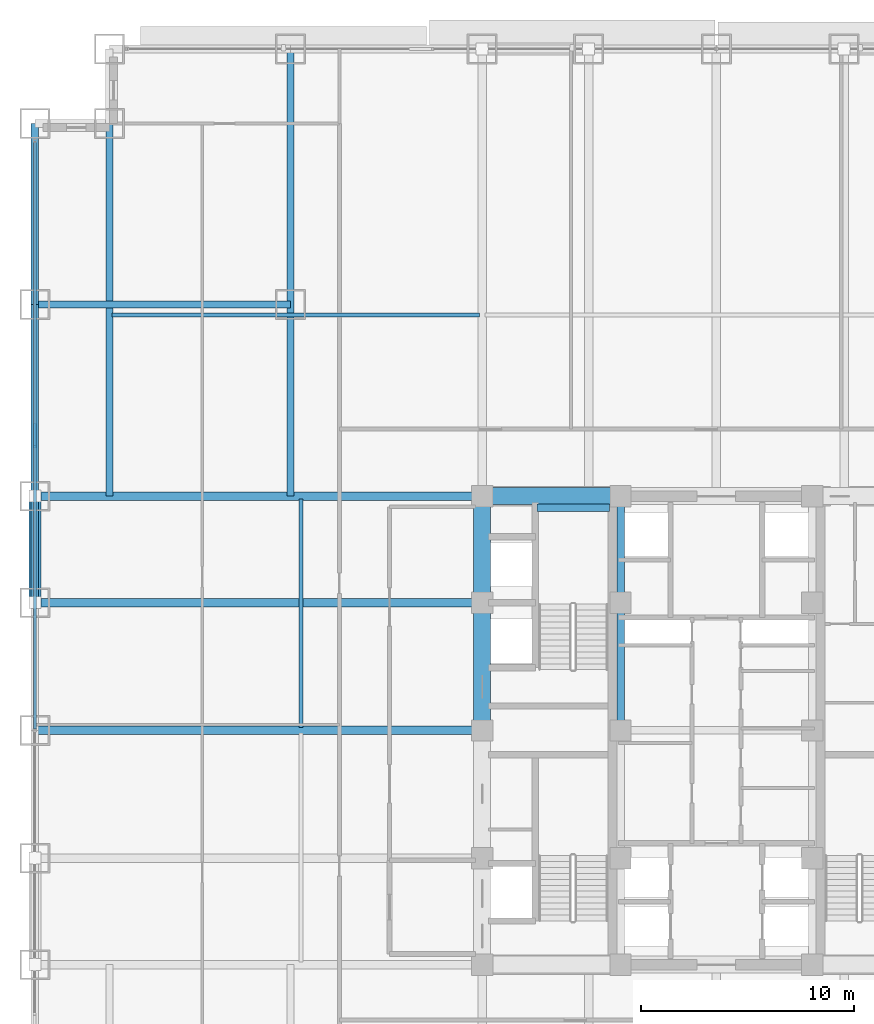
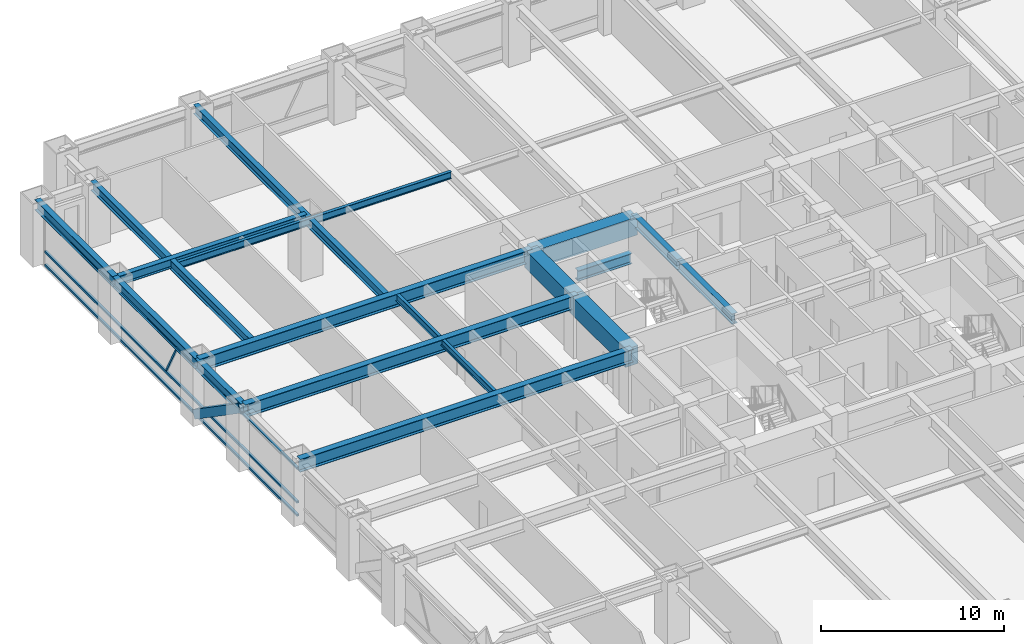
# One storey, part 9 of 32: 17 beams, 5 members, 1 element without a shape of its own.
"""IFC4 building model written with IfcOpenShell, lengths in metres."""

from ifc_helpers import new_model, si_unit, direction, frame, origin, origin_2d, place, context, subcontext, project, spatial, rectangle, hollow_rectangle, i_section, extrude, source, transform, mapped, material, material_profile, profile_set, type_object, element, aggregate, save


model = new_model("IFC4")

# Units and contexts
model_context = context("Model", 3, precision=1e-05, world=origin(), true_north=direction((0.0, 1.0)))
body_context = subcontext(model_context, "Body", "Model", "MODEL_VIEW")
ifc_project = project(units=[si_unit("LENGTHUNIT", "METRE"), si_unit("AREAUNIT", "SQUARE_METRE"), si_unit("VOLUMEUNIT", "CUBIC_METRE"), si_unit("PLANEANGLEUNIT", "RADIAN"), si_unit("MASSUNIT", "GRAM", prefix="KILO")], contexts=[model_context])

# Site, building, storey
site_placement = place(None, origin())
site = spatial("IfcSite", under=ifc_project, at=site_placement, CompositionType="ELEMENT")
building_placement = place(site_placement, origin())
building = spatial("IfcBuilding", under=site, at=building_placement, Name="Khorayat Bourse Tower", CompositionType="ELEMENT")
storey_placement = place(building_placement, frame((0.0, 0.0, 74.60009765625)))
storey = spatial("IfcBuildingStorey", under=building, at=storey_placement, Name="L16", CompositionType="ELEMENT", Elevation=74.60009765625)

# Beams
ifc_material_1 = material(Name="Concrete C72/90", Category="concrete")
ifc_material_profile_1 = material_profile(ifc_material_1, rectangle(XDim=0.800048828125, YDim=1.199951171875, at=origin_2d()), Name="RC 800x1200")
ifc_profile_set_1 = profile_set([ifc_material_profile_1], Name="Concrete C72/90")
beam_type_1 = type_object("IfcBeamType", Name="BM-COUP-1200", PredefinedType="BEAM", material=ifc_profile_set_1)
shared_shape_1 = source(origin(), body_context, "Body", "SweptSolid", [
    extrude(rectangle(XDim=0.800048828125, YDim=1.199951171875, at=origin_2d()), origin(), (0.0, 0.0, 1.0), 5.0),
])
beam_1_placement = place(storey_placement, frame((-11.0, 6.0, 3.33984375), z_axis=(0.0, 1.0, 0.0), x_axis=(-1.0, 0.0, 0.0)))
element("IfcBeam", 1, at=beam_1_placement, inside=storey, type_object=beam_type_1, Name="L16 BM-COUP-1200 BM-L16-CRX-04", PredefinedType="BEAM", context=body_context, shape_type="MappedRepresentation", body=[
    mapped(shared_shape_1, transform((0.0, 0.0, 0.0), scale=1.0)),
])
shared_shape_2 = source(origin(), body_context, "Body", "SweptSolid", [
    extrude(rectangle(XDim=0.800048828125, YDim=1.199951171875, at=origin_2d()), origin(), (0.0, 0.0, 1.0), 6.0),
])
beam_2_placement = place(storey_placement, frame((-11.0, 0.0, 3.33984375), z_axis=(0.0, 1.0, 0.0), x_axis=(-1.0, 0.0, 0.0)))
element("IfcBeam", 2, at=beam_2_placement, inside=storey, type_object=beam_type_1, Name="L16 BM-COUP-1200 BM-L16-CRX-03", PredefinedType="BEAM", context=body_context, shape_type="MappedRepresentation", body=[
    mapped(shared_shape_2, transform((0.0, 0.0, 0.0), scale=1.0)),
])
ifc_material_2 = material(Name="Steel ASTM A992 Grade 50", Category="steel")
ifc_material_profile_2 = material_profile(ifc_material_2, i_section(OverallWidth=0.35498046875, OverallDepth=0.695068359375, WebThickness=0.015380859375, FlangeThickness=0.02490234375, FilletRadius=0.01806640625, at=origin_2d()), Name="W690X217")
ifc_profile_set_2 = profile_set([ifc_material_profile_2], Name="Steel ASTM A992 Grade 50")
beam_type_2 = type_object("IfcBeamType", Name="BM-GIRD-690", PredefinedType="BEAM", material=ifc_profile_set_2)
shared_shape_3 = source(origin(), body_context, "Body", "SweptSolid", [
    extrude(i_section(OverallWidth=0.35498046875, OverallDepth=0.695068359375, WebThickness=0.015380859375, FlangeThickness=0.02490234375, FilletRadius=0.01806640625, at=origin_2d()), origin(), (0.0, 0.0, 1.0), 5.0),
])
beam_3_placement = place(storey_placement, frame((-4.5, 6.0, 3.59228515625), z_axis=(0.0, 1.0, 0.0), x_axis=(-1.0, 0.0, 0.0)))
element("IfcBeam", 3, at=beam_3_placement, inside=storey, type_object=beam_type_2, Name="L16 BM-GIRD-690 BM-L16-CRX-08", PredefinedType="BEAM", context=body_context, shape_type="MappedRepresentation", body=[
    mapped(shared_shape_3, transform((0.0, 0.0, 0.0), scale=1.0)),
])
shared_shape_4 = source(origin(), body_context, "Body", "SweptSolid", [
    extrude(i_section(OverallWidth=0.35498046875, OverallDepth=0.695068359375, WebThickness=0.015380859375, FlangeThickness=0.02490234375, FilletRadius=0.01806640625, at=origin_2d()), origin(), (0.0, 0.0, 1.0), 6.0),
])
beam_4_placement = place(storey_placement, frame((-4.5, 0.0, 3.59228515625), z_axis=(0.0, 1.0, 0.0), x_axis=(-1.0, 0.0, 0.0)))
element("IfcBeam", 4, at=beam_4_placement, inside=storey, type_object=beam_type_2, Name="L16 BM-GIRD-690 BM-L16-CRX-07", PredefinedType="BEAM", context=body_context, shape_type="MappedRepresentation", body=[
    mapped(shared_shape_4, transform((0.0, 0.0, 0.0), scale=1.0)),
])
shared_shape_5 = source(origin(), body_context, "Body", "SweptSolid", [
    extrude(rectangle(XDim=0.800048828125, YDim=1.199951171875, at=origin_2d()), origin(), (0.0, 0.0, 1.0), 6.5),
])
beam_5_placement = place(storey_placement, frame((-11.0, 11.0, 3.33984375), z_axis=(1.0, 0.0, 0.0), x_axis=(0.0, 1.0, 0.0)))
element("IfcBeam", 5, at=beam_5_placement, inside=storey, type_object=beam_type_1, Name="L16 BM-COUP-1200 BM-L16-CRY-20", PredefinedType="BEAM", context=body_context, shape_type="MappedRepresentation", body=[
    mapped(shared_shape_5, transform((0.0, 0.0, 0.0), scale=1.0)),
])
shared_shape_6 = source(origin(), body_context, "Body", "SweptSolid", [
    extrude(i_section(OverallWidth=0.35498046875, OverallDepth=0.695068359375, WebThickness=0.015380859375, FlangeThickness=0.02490234375, FilletRadius=0.01806640625, at=origin_2d()), origin(), (0.0, 0.0, 1.0), 3.39990234375),
])
beam_6_placement = place(storey_placement, frame((-8.419921875, 10.449951171875, 1.552490234375), z_axis=(1.0, 0.0, 0.0), x_axis=(0.0, 1.0, 0.0)))
element("IfcBeam", 6, at=beam_6_placement, inside=storey, type_object=beam_type_2, Name="L16 BM-GIRD-690 BM-L16-ST2L", PredefinedType="BEAM", context=body_context, shape_type="MappedRepresentation", body=[
    mapped(shared_shape_6, transform((0.0, 0.0, 0.0), scale=1.0)),
])
ifc_material_profile_3 = material_profile(ifc_material_2, i_section(OverallWidth=0.35498046875, OverallDepth=0.695068359375, WebThickness=0.015380859375, FlangeThickness=0.02490234375, FilletRadius=0.01806640625, at=origin_2d()), Name="W690X217")
ifc_profile_set_3 = profile_set([ifc_material_profile_3], Name="Steel ASTM A992 Grade 50")
beam_type_3 = type_object("IfcBeamType", Name="BM-SPAN-690", PredefinedType="SPANDREL", material=ifc_profile_set_3)
shared_shape_7 = source(origin(), body_context, "Body", "SweptSolid", [
    extrude(i_section(OverallWidth=0.35498046875, OverallDepth=0.695068359375, WebThickness=0.015380859375, FlangeThickness=0.02490234375, FilletRadius=0.01806640625, at=origin_2d()), origin(), (0.0, 0.0, 1.0), 8.5),
])
beam_7_placement = place(storey_placement, frame((-32.0, 20.0, 3.59228515625), z_axis=(0.0, 1.0, 0.0), x_axis=(-1.0, 0.0, 0.0)))
element("IfcBeam", 7, at=beam_7_placement, inside=storey, type_object=beam_type_3, Name="L16 BM-SPAN-690 BM-L16-SPN-054", PredefinedType="SPANDREL", context=body_context, shape_type="MappedRepresentation", body=[
    mapped(shared_shape_7, transform((0.0, 0.0, 0.0), scale=1.0)),
])
shared_shape_8 = source(origin(), body_context, "Body", "SweptSolid", [
    extrude(i_section(OverallWidth=0.35498046875, OverallDepth=0.695068359375, WebThickness=0.015380859375, FlangeThickness=0.02490234375, FilletRadius=0.01806640625, at=origin_2d()), origin(), (0.0, 0.0, 1.0), 9.0),
])
beam_8_placement = place(storey_placement, frame((-32.0, 11.0, 3.59228515625), z_axis=(0.0, 1.0, 0.0), x_axis=(-1.0, 0.0, 0.0)))
element("IfcBeam", 8, at=beam_8_placement, inside=storey, type_object=beam_type_3, Name="L16 BM-SPAN-690 BM-L16-SPN-055", PredefinedType="SPANDREL", context=body_context, shape_type="MappedRepresentation", body=[
    mapped(shared_shape_8, transform((0.0, 0.0, 0.0), scale=1.0)),
])
shared_shape_9 = source(origin(), body_context, "Body", "SweptSolid", [
    extrude(i_section(OverallWidth=0.35498046875, OverallDepth=0.695068359375, WebThickness=0.015380859375, FlangeThickness=0.02490234375, FilletRadius=0.01806640625, at=origin_2d()), origin(), (0.0, 0.0, 1.0), 5.0),
])
beam_9_placement = place(storey_placement, frame((-32.0, 6.0, 3.59228515625), z_axis=(0.0, 1.0, 0.0), x_axis=(-1.0, 0.0, 0.0)))
element("IfcBeam", 9, at=beam_9_placement, inside=storey, type_object=beam_type_3, Name="L16 BM-SPAN-690 BM-L16-SPN-056", PredefinedType="SPANDREL", context=body_context, shape_type="MappedRepresentation", body=[
    mapped(shared_shape_9, transform((0.0, 0.0, 0.0), scale=1.0)),
])
ifc_material_profile_4 = material_profile(ifc_material_2, i_section(OverallWidth=0.39990234375, OverallDepth=0.85498046875, WebThickness=0.018310546875, FlangeThickness=0.029296875, FilletRadius=0.02001953125, at=origin_2d()), Name="W840X299")
ifc_profile_set_4 = profile_set([ifc_material_profile_4], Name="Steel ASTM A992 Grade 50")
beam_type_4 = type_object("IfcBeamType", Name="BM-GIRD-840", PredefinedType="BEAM", material=ifc_profile_set_4)
shared_shape_10 = source(origin(), body_context, "Body", "SweptSolid", [
    extrude(i_section(OverallWidth=0.39990234375, OverallDepth=0.85498046875, WebThickness=0.018310546875, FlangeThickness=0.029296875, FilletRadius=0.02001953125, at=origin_2d()), origin(), (0.0, 0.0, 1.0), 21.0),
])
for number, where, z_axis, x_axis, name in (
    (10, (-32.0, 0.0, 3.512451171875), (1.0, 0.0, 0.0), (0.0, 1.0, 0.0), "L16 BM-GIRD-840 BM-L16-RADX-079"),
    (11, (-32.0, 6.0, 3.512451171875), (1.0, 0.0, 0.0), (0.0, 1.0, 0.0), "L16 BM-GIRD-840 BM-L16-RADX-081"),
    (12, (-32.0, 11.0, 3.512451171875), (1.0, 0.0, 0.0), (0.0, 1.0, 0.0), "L16 BM-GIRD-840 BM-L16-RADX-083"),
):
    element("IfcBeam", number, at=place(storey_placement, frame(where, z_axis=z_axis, x_axis=x_axis)), inside=storey, type_object=beam_type_4, Name=name, PredefinedType="BEAM", context=body_context, shape_type="MappedRepresentation", body=[
        mapped(shared_shape_10, transform((0.0, 0.0, 0.0), scale=1.0)),
    ])
ifc_material_profile_5 = material_profile(ifc_material_2, i_section(OverallWidth=0.324951171875, OverallDepth=0.615966796875, WebThickness=0.013916015625, FlangeThickness=0.021484375, FilletRadius=0.01611328125, at=origin_2d()), Name="W610X174")
ifc_profile_set_5 = profile_set([ifc_material_profile_5], Name="Steel ASTM A992 Grade 50")
beam_type_5 = type_object("IfcBeamType", Name="BM-GIRD-610", PredefinedType="BEAM", material=ifc_profile_set_5)
shared_shape_11 = source(origin(), body_context, "Body", "SweptSolid", [
    extrude(i_section(OverallWidth=0.324951171875, OverallDepth=0.615966796875, WebThickness=0.013916015625, FlangeThickness=0.021484375, FilletRadius=0.01611328125, at=origin_2d()), origin(), (0.0, 0.0, 1.0), 21.0),
])
beam_10_placement = place(storey_placement, frame((-20.0, 11.0, 3.6318359375), z_axis=(0.0, 1.0, 0.0), x_axis=(-1.0, 0.0, 0.0)))
element("IfcBeam", 13, at=beam_10_placement, inside=storey, type_object=beam_type_5, Name="L16 BM-GIRD-610 BM-L16-CNRY-085", PredefinedType="BEAM", context=body_context, shape_type="MappedRepresentation", body=[
    mapped(shared_shape_11, transform((0.0, 0.0, 0.0), scale=1.0)),
])
shared_shape_12 = source(origin(), body_context, "Body", "SweptSolid", [
    extrude(i_section(OverallWidth=0.324951171875, OverallDepth=0.615966796875, WebThickness=0.013916015625, FlangeThickness=0.021484375, FilletRadius=0.01611328125, at=origin_2d()), origin(), (0.0, 0.0, 1.0), 17.5),
])
beam_11_placement = place(storey_placement, frame((-28.5, 11.0, 3.6318359375), z_axis=(0.0, 1.0, 0.0), x_axis=(-1.0, 0.0, 0.0)))
element("IfcBeam", 14, at=beam_11_placement, inside=storey, type_object=beam_type_5, Name="L16 BM-GIRD-610 BM-L16-CNRY-089", PredefinedType="BEAM", context=body_context, shape_type="MappedRepresentation", body=[
    mapped(shared_shape_12, transform((0.0, 0.0, 0.0), scale=1.0)),
])
shared_shape_13 = source(origin(), body_context, "Body", "SweptSolid", [
    extrude(i_section(OverallWidth=0.324951171875, OverallDepth=0.615966796875, WebThickness=0.013916015625, FlangeThickness=0.021484375, FilletRadius=0.01611328125, at=origin_2d()), origin(), (0.0, 0.0, 1.0), 12.0),
])
beam_12_placement = place(storey_placement, frame((-32.0, 20.0, 3.6318359375), z_axis=(1.0, 0.0, 0.0), x_axis=(0.0, 1.0, 0.0)))
element("IfcBeam", 15, at=beam_12_placement, inside=storey, type_object=beam_type_5, Name="L16 BM-GIRD-610 BM-L16-CNRX-095", PredefinedType="BEAM", context=body_context, shape_type="MappedRepresentation", body=[
    mapped(shared_shape_13, transform((0.0, 0.0, 0.0), scale=1.0)),
])
ifc_material_profile_6 = material_profile(ifc_material_2, i_section(OverallWidth=0.194091796875, OverallDepth=0.468994140625, WebThickness=0.0126953125, FlangeThickness=0.0205078125, FilletRadius=0.012939453125, at=origin_2d()), Name="W460X106")
ifc_profile_set_6 = profile_set([ifc_material_profile_6], Name="Steel ASTM A992 Grade 50")
beam_type_6 = type_object("IfcBeamType", Name="BM-JOIST-460", PredefinedType="JOIST", material=ifc_profile_set_6)
shared_shape_14 = source(origin(), body_context, "Body", "SweptSolid", [
    extrude(i_section(OverallWidth=0.194091796875, OverallDepth=0.468994140625, WebThickness=0.0126953125, FlangeThickness=0.0205078125, FilletRadius=0.012939453125, at=origin_2d()), origin(), (0.0, 0.0, 1.0), 17.240234375),
])
beam_13_placement = place(storey_placement, frame((-28.3701171875, 19.5, 3.705322265625), z_axis=(1.0, 0.0, 0.0), x_axis=(0.0, 1.0, 0.0)))
element("IfcBeam", 16, at=beam_13_placement, inside=storey, type_object=beam_type_6, Name="L16 BM-JOIST-460 BM-L16-JSTX-099", PredefinedType="JOIST", context=body_context, shape_type="MappedRepresentation", body=[
    mapped(shared_shape_14, transform((0.0, 0.0, 0.0), scale=1.0)),
])
shared_shape_15 = source(origin(), body_context, "Body", "SweptSolid", [
    extrude(i_section(OverallWidth=0.194091796875, OverallDepth=0.468994140625, WebThickness=0.0126953125, FlangeThickness=0.0205078125, FilletRadius=0.012939453125, at=origin_2d()), origin(), (0.0, 0.0, 1.0), 10.740234375),
])
beam_14_placement = place(storey_placement, frame((-19.5, 0.1298828125, 3.705322265625), z_axis=(0.0, 1.0, 0.0), x_axis=(-1.0, 0.0, 0.0)))
element("IfcBeam", 17, at=beam_14_placement, inside=storey, type_object=beam_type_6, Name="L16 BM-JOIST-460 BM-L16-JSTY-103", PredefinedType="JOIST", context=body_context, shape_type="MappedRepresentation", body=[
    mapped(shared_shape_15, transform((0.0, 0.0, 0.0), scale=1.0)),
])

# Member
ifc_material_3 = material(Name="Steel EN 10025-4 S460M", Category="steel")
ifc_material_profile_7 = material_profile(ifc_material_3, hollow_rectangle(XDim=0.550048828125, YDim=0.550048828125, WallThickness=0.031982421875, at=origin_2d()), Name="HSS 550x550x32")
ifc_profile_set_7 = profile_set([ifc_material_profile_7], Name="Steel EN 10025-4 S460M")
member_type_1 = type_object("IfcMemberType", Name="MBR-TUBE-550", PredefinedType="BRACE", material=ifc_profile_set_7)
shared_shape_16 = source(origin(), body_context, "Body", "SweptSolid", [
    extrude(hollow_rectangle(XDim=0.550048828125, YDim=0.550048828125, WallThickness=0.031982421875, at=origin_2d()), origin(), (0.0, 0.0, 1.0), 6.069091796875),
])
member_1_placement = place(storey_placement, frame((-32.0, 6.0, 3.68994140625), z_axis=(0.0, 0.823854080622, -0.566801952928), x_axis=(-1.0, 0.0, 0.0)))
element("IfcMember", 18, at=member_1_placement, inside=storey, type_object=member_type_1, Name="L16 Perimeter Tube Brace 06", PredefinedType="BRACE", context=body_context, shape_type="MappedRepresentation", body=[
    mapped(shared_shape_16, transform((0.0, 0.0, 0.0), scale=1.0)),
])

# Curtain wall, members
ifc_material_4 = material(Name="Aluminium EN AW-6063 T6", Category="aluminium")
curtain_wall_type = type_object("IfcCurtainWallType", Name="CW-SYS-02", PredefinedType="NOTDEFINED", material=ifc_material_4)
curtain_wall_placement = place(storey_placement, origin())
curtain_wall = element("IfcCurtainWall", 19, at=curtain_wall_placement, inside=storey, type_object=curtain_wall_type, Name="L16 Curtain Wall CW-L16-W1", PredefinedType="NOTDEFINED")
ifc_material_profile_8 = material_profile(ifc_material_4, hollow_rectangle(XDim=0.1201171875, YDim=0.1201171875, WallThickness=0.0048828125, at=origin_2d()), Name="ALU 120x120x5")
ifc_profile_set_8 = profile_set([ifc_material_profile_8], Name="Aluminium EN AW-6063 T6")
member_type_2 = type_object("IfcMemberType", Name="CWM-DIAG-120", PredefinedType="MULLION", material=ifc_profile_set_8)
shared_shape_17 = source(origin(), body_context, "Body", "SweptSolid", [
    extrude(hollow_rectangle(XDim=0.1201171875, YDim=0.1201171875, WallThickness=0.0048828125, at=origin_2d()), origin(), (0.0, 0.0, 1.0), 2.22607421875),
])
member_2_placement = place(storey_placement, frame((-32.0, 14.3583984375, 1.099853515625), z_axis=(0.0, -0.465759992596, 0.884911085532), x_axis=(1.0, 0.0, 0.0)))
member_2 = element("IfcMember", 20, at=member_2_placement, type_object=member_type_2, Name="CW-L16-W1 Faceted Diagonal Mullion 2", PredefinedType="MULLION", context=body_context, shape_type="MappedRepresentation", body=[
    mapped(shared_shape_17, transform((0.0, 0.0, 0.0), scale=1.0)),
])
ifc_material_profile_9 = material_profile(ifc_material_4, hollow_rectangle(XDim=0.139892578125, YDim=0.139892578125, WallThickness=0.006103515625, at=origin_2d()), Name="ALU 140x140x6")
ifc_profile_set_9 = profile_set([ifc_material_profile_9], Name="Aluminium EN AW-6063 T6")
member_type_3 = type_object("IfcMemberType", Name="CWT-HORZ-140", PredefinedType="USERDEFINED", material=ifc_profile_set_9)
shared_shape_18 = source(origin(), body_context, "Body", "SweptSolid", [
    extrude(hollow_rectangle(XDim=0.139892578125, YDim=0.139892578125, WallThickness=0.006103515625, at=origin_2d()), origin(), (0.0, 0.0, 1.0), 27.5400390625),
])
member_3_placement = place(storey_placement, frame((-32.0, 0.070068359375, 0.06982421875), z_axis=(0.0, 1.0, 0.0), x_axis=(-1.0, 0.0, 0.0)))
member_3 = element("IfcMember", 21, at=member_3_placement, type_object=member_type_3, Name="CW-L16-W1 Horizontal Transom 2-1", ObjectType="TRANSOM", PredefinedType="USERDEFINED", context=body_context, shape_type="MappedRepresentation", body=[
    mapped(shared_shape_18, transform((0.0, 0.0, 0.0), scale=1.0)),
])
member_4_placement = place(storey_placement, frame((-32.0, 0.070068359375, 0.949951171875), z_axis=(0.0, 1.0, 0.0), x_axis=(-1.0, 0.0, 0.0)))
member_4 = element("IfcMember", 22, at=member_4_placement, type_object=member_type_3, Name="CW-L16-W1 Horizontal Transom 2-2", ObjectType="TRANSOM", PredefinedType="USERDEFINED", context=body_context, shape_type="MappedRepresentation", body=[
    mapped(shared_shape_18, transform((0.0, 0.0, 0.0), scale=1.0)),
])
member_5_placement = place(storey_placement, frame((-32.0, 0.070068359375, 3.219970703125), z_axis=(0.0, 1.0, 0.0), x_axis=(-1.0, 0.0, 0.0)))
member_5 = element("IfcMember", 23, at=member_5_placement, type_object=member_type_3, Name="CW-L16-W1 Horizontal Transom 2-3", ObjectType="TRANSOM", PredefinedType="USERDEFINED", context=body_context, shape_type="MappedRepresentation", body=[
    mapped(shared_shape_18, transform((0.0, 0.0, 0.0), scale=1.0)),
])
aggregate(curtain_wall, [member_3, member_4, member_5, member_2])

save(model, "model.ifc")
